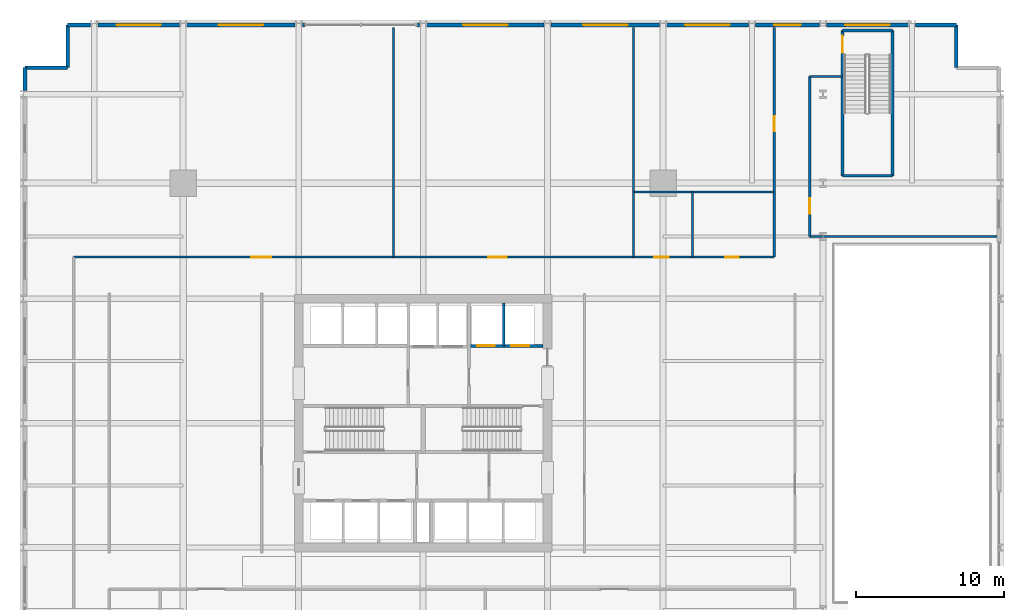
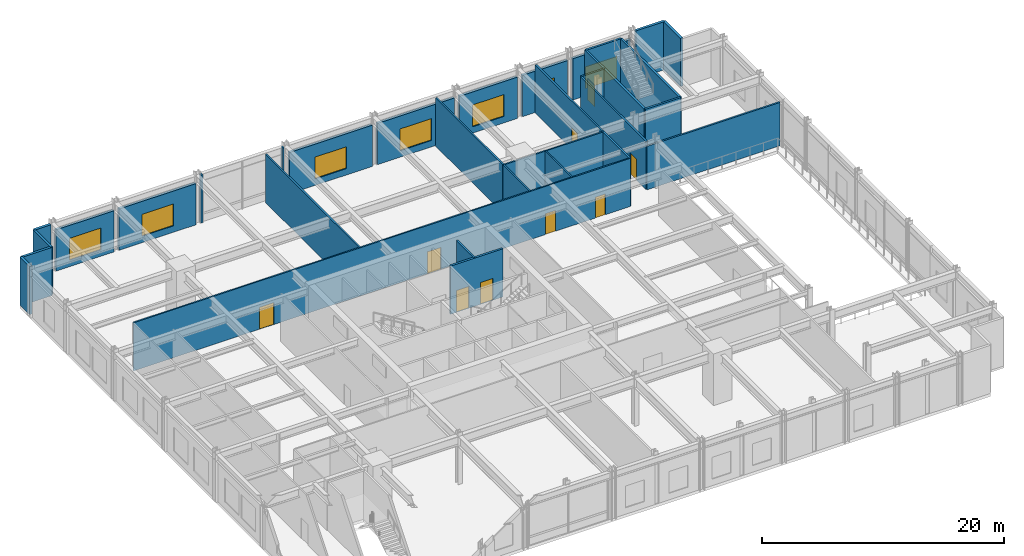
# One storey, part 13 of 20: 31 walls, 9 doors, 7 windows, 16 openings.
"""IFC4 building model written with IfcOpenShell, lengths in metres."""

from ifc_helpers import new_model, si_unit, direction, frame, frame_2d, origin, place, context, subcontext, project, spatial, rectangle, extrude, material, layer, layer_set, type_object, element, fill, save


model = new_model("IFC4")

# Units and contexts
model_context = context("Model", 3, precision=1e-05, world=origin(), true_north=direction((0.0, 1.0)))
body_context = subcontext(model_context, "Body", "Model", "MODEL_VIEW")
ifc_project = project(units=[si_unit("LENGTHUNIT", "METRE"), si_unit("AREAUNIT", "SQUARE_METRE"), si_unit("VOLUMEUNIT", "CUBIC_METRE"), si_unit("PLANEANGLEUNIT", "RADIAN"), si_unit("MASSUNIT", "GRAM", prefix="KILO")], contexts=[model_context])

# Site, building, storey
site_placement = place(None, origin())
site = spatial("IfcSite", under=ifc_project, at=site_placement, CompositionType="ELEMENT")
building_placement = place(site_placement, origin())
building = spatial("IfcBuilding", under=site, at=building_placement, Name="Drelvath Grand Hotel", CompositionType="ELEMENT")
storey_placement = place(building_placement, frame((0.0, 0.0, 5.60009765625)))
storey = spatial("IfcBuildingStorey", under=building, at=storey_placement, Name="L01", CompositionType="ELEMENT", Elevation=5.60009765625)

# Wall, openings, doors
ifc_material_1 = material(Name="Concrete C40/50", Category="concrete")
ifc_layer_1 = layer(ifc_material_1, 0.199951171875)
ifc_layer_set_1 = layer_set([ifc_layer_1], Name="Concrete C40/50")
wall_type_1 = type_object("IfcWallType", Name="Core Hoistway Fire Wall 200", PredefinedType="SOLIDWALL", material=ifc_layer_set_1)
wall_1_placement = place(storey_placement, frame((3.10009765625, 32.219970703125, 0.0), z_axis=(0.0, 0.0, 1.0), x_axis=(1.0, 0.0, 0.0)))
wall_1 = element("IfcWall", 1, at=wall_1_placement, inside=storey, type_object=wall_type_1, Name="L01 FSAE Hoistway Front Wall", PredefinedType="SOLIDWALL", context=body_context, shape_type="SweptSolid", body=[
    extrude(rectangle(XDim=5.0, YDim=0.199951171875, at=frame_2d((2.5, 0.0))), origin(), (0.0, 0.0, 1.0), 4.849853515625),
])
opening_1_placement = place(wall_1_placement, frame((0.550048828125, 0.0, 0.0)))
opening_1 = element("IfcOpeningElement", 2, at=opening_1_placement, cuts=wall_1, Name="Opening LD-FSAE-1", PredefinedType="OPENING", context=body_context, shape_type="SweptSolid", body=[
    extrude(rectangle(XDim=1.199951171875, YDim=2.199951171875, at=frame_2d((0.60009765625, 1.10009765625))), frame((0.0, 0.10986328125, 0.0), z_axis=(0.0, -1.0, 0.0), x_axis=(1.0, 0.0, 0.0)), (0.0, 0.0, 1.0), 0.219970703125),
])
opening_2_placement = place(wall_1_placement, frame((2.85009765625, 0.0, 0.0)))
opening_2 = element("IfcOpeningElement", 3, at=opening_2_placement, cuts=wall_1, Name="Opening LD-FSAE-2", PredefinedType="OPENING", context=body_context, shape_type="SweptSolid", body=[
    extrude(rectangle(XDim=1.199951171875, YDim=2.199951171875, at=frame_2d((0.60009765625, 1.10009765625))), frame((0.0, 0.10986328125, 0.0), z_axis=(0.0, -1.0, 0.0), x_axis=(1.0, 0.0, 0.0)), (0.0, 0.0, 1.0), 0.219970703125),
])
ifc_material_2 = material(Name="Stainless Steel S355", Category="steel")
door_type_1 = type_object("IfcDoorType", Name="FSAE Lift Sliding Landing Door 1200x2200", OperationType="NOTDEFINED", PredefinedType="DOOR", material=ifc_material_2)
door_1_placement = place(opening_1_placement, origin())
door_1 = element("IfcDoor", 4, at=door_1_placement, inside=storey, type_object=door_type_1, Name="L01 Lift FSAE-1 Landing Door", OperationType="SLIDING_TO_LEFT", OverallHeight=2.199951171875, OverallWidth=1.199951171875, PredefinedType="DOOR", context=body_context, shape_type="SweptSolid", body=[
    extrude(rectangle(XDim=1.199951171875, YDim=2.199951171875, at=frame_2d((0.60009765625, 1.10009765625))), frame((0.0, 0.02490234375, 0.0), z_axis=(0.0, -1.0, 0.0), x_axis=(1.0, 0.0, 0.0)), (0.0, 0.0, 1.0), 0.050048828125),
])
fill(opening_1, door_1)
door_2_placement = place(opening_2_placement, origin())
door_2 = element("IfcDoor", 5, at=door_2_placement, inside=storey, type_object=door_type_1, Name="L01 Lift FSAE-2 Landing Door", OperationType="SLIDING_TO_LEFT", OverallHeight=2.199951171875, OverallWidth=1.199951171875, PredefinedType="DOOR", context=body_context, shape_type="SweptSolid", body=[
    extrude(rectangle(XDim=1.199951171875, YDim=2.199951171875, at=frame_2d((0.60009765625, 1.10009765625))), frame((0.0, 0.02490234375, 0.0), z_axis=(0.0, -1.0, 0.0), x_axis=(1.0, 0.0, 0.0)), (0.0, 0.0, 1.0), 0.050048828125),
])
fill(opening_2, door_2)

# Wall, opening, door
ifc_layer_2 = layer(ifc_material_1, 0.199951171875)
ifc_layer_set_2 = layer_set([ifc_layer_2], Name="Concrete C40/50")
wall_type_2 = type_object("IfcWallType", Name="Core Shaft Fire Wall 200", PredefinedType="SOLIDWALL", material=ifc_layer_set_2)
wall_2_placement = place(storey_placement, frame((28.320068359375, 43.699951171875, 0.0), z_axis=(0.0, 0.0, 1.0), x_axis=(0.0, 1.0, 0.0)))
wall_2 = element("IfcWall", 6, at=wall_2_placement, inside=storey, type_object=wall_type_2, Name="L01 Stair ST-4 West Wall", PredefinedType="SOLIDWALL", context=body_context, shape_type="SweptSolid", body=[
    extrude(rectangle(XDim=9.800048828125, YDim=0.199951171875, at=frame_2d((4.89990234375, 0.0))), origin(), (0.0, 0.0, 1.0), 4.849853515625),
])
opening_3_placement = place(wall_2_placement, frame((8.300048828125, 0.0, 0.0)))
opening_3 = element("IfcOpeningElement", 7, at=opening_3_placement, cuts=wall_2, Name="Opening D-L01-017", PredefinedType="OPENING", context=body_context, shape_type="SweptSolid", body=[
    extrude(rectangle(XDim=1.14990234375, YDim=2.14990234375, at=frame_2d((0.574951171875, 1.074951171875))), frame((0.0, 0.10986328125, 0.0), z_axis=(0.0, -1.0, 0.0), x_axis=(1.0, 0.0, 0.0)), (0.0, 0.0, 1.0), 0.219970703125),
])
ifc_material_3 = material(Name="Painted Steel S275", Category="steel")
door_type_2 = type_object("IfcDoorType", Name="Podium Stairwell Fire Door 1150x2150", OperationType="NOTDEFINED", PredefinedType="DOOR", material=ifc_material_3)
door_3_placement = place(opening_3_placement, origin())
door_3 = element("IfcDoor", 8, at=door_3_placement, inside=storey, type_object=door_type_2, Name="L01 Exit Stair ST-4 Entry Door", OperationType="SINGLE_SWING_RIGHT", OverallHeight=2.14990234375, OverallWidth=1.14990234375, PredefinedType="DOOR", context=body_context, shape_type="SweptSolid", body=[
    extrude(rectangle(XDim=1.14990234375, YDim=2.14990234375, at=frame_2d((0.574951171875, 1.074951171875))), frame((0.0, 0.02490234375, 0.0), z_axis=(0.0, -1.0, 0.0), x_axis=(1.0, 0.0, 0.0)), (0.0, 0.0, 1.0), 0.050048828125),
])
fill(opening_3, door_3)

# Walls
wall_3_placement = place(storey_placement, frame((31.679931640625, 53.5, 0.0), z_axis=(0.0, 0.0, 1.0), x_axis=(0.0, -1.0, 0.0)))
element("IfcWall", 9, at=wall_3_placement, inside=storey, type_object=wall_type_2, Name="L01 Stair ST-4 East Wall", PredefinedType="SOLIDWALL", context=body_context, shape_type="SweptSolid", body=[
    extrude(rectangle(XDim=9.800048828125, YDim=0.199951171875, at=frame_2d((4.89990234375, 0.0))), origin(), (0.0, 0.0, 1.0), 4.849853515625),
])
for number, where, z_axis, x_axis, name in (
    (10, (28.320068359375, 43.699951171875, 0.0), (0.0, 0.0, 1.0), (1.0, 0.0, 0.0), "L01 Stair ST-4 South Wall"),
    (11, (31.679931640625, 53.5, 0.0), (0.0, 0.0, 1.0), (-1.0, 0.0, 0.0), "L01 Stair ST-4 North Wall"),
):
    element("IfcWall", number, at=place(storey_placement, frame(where, z_axis=z_axis, x_axis=x_axis)), inside=storey, type_object=wall_type_2, Name=name, PredefinedType="SOLIDWALL", context=body_context, shape_type="SweptSolid", body=[
        extrude(rectangle(XDim=3.35986328125, YDim=0.199951171875, at=frame_2d((1.679931640625, 0.0))), origin(), (0.0, 0.0, 1.0), 4.849853515625),
    ])
ifc_material_4 = material(Name="Gypsum Fireboard Partition")
ifc_layer_3 = layer(ifc_material_4, 0.1650390625)
ifc_layer_set_3 = layer_set([ifc_layer_3], Name="Gypsum Fireboard Partition")
wall_type_3 = type_object("IfcWallType", Name="Core Shaft Partition 165", PredefinedType="PARTITIONING", material=ifc_layer_set_3)
wall_4_placement = place(storey_placement, frame((5.449951171875, 32.219970703125, 0.0), z_axis=(0.0, 0.0, 1.0), x_axis=(0.0, 1.0, 0.0)))
element("IfcWall", 12, at=wall_4_placement, inside=storey, type_object=wall_type_3, Name="L01 FSAE Hoistway Divider", PredefinedType="PARTITIONING", context=body_context, shape_type="SweptSolid", body=[
    extrude(rectangle(XDim=2.880126953125, YDim=0.1650390625, at=frame_2d((1.43994140625, 0.0))), origin(), (0.0, 0.0, 1.0), 4.849853515625),
])

# Wall, openings, doors
ifc_layer_4 = layer(ifc_material_4, 0.135009765625)
ifc_layer_set_4 = layer_set([ifc_layer_4], Name="Gypsum Fireboard Partition")
wall_type_4 = type_object("IfcWallType", Name="Corridor Fire Barrier Wall 135", PredefinedType="PARTITIONING", material=ifc_layer_set_4)
wall_5_placement = place(storey_placement, frame((-23.60009765625, 38.199951171875, 0.0), z_axis=(0.0, 0.0, 1.0), x_axis=(1.0, 0.0, 0.0)))
wall_5 = element("IfcWall", 13, at=wall_5_placement, inside=storey, type_object=wall_type_4, Name="L01 North Gallery Wall", PredefinedType="PARTITIONING", context=body_context, shape_type="SweptSolid", body=[
    extrude(rectangle(XDim=47.300048828125, YDim=0.135009765625, at=frame_2d((23.64990234375, 0.0))), origin(), (0.0, 0.0, 1.0), 4.849853515625),
])
opening_4_placement = place(wall_5_placement, frame((39.199951171875, 0.0, 0.0)))
opening_4 = element("IfcOpeningElement", 14, at=opening_4_placement, cuts=wall_5, Name="Opening D-L01-019", PredefinedType="OPENING", context=body_context, shape_type="SweptSolid", body=[
    extrude(rectangle(XDim=0.97998046875, YDim=2.10009765625, at=frame_2d((0.489990234375, 1.050048828125))), frame((0.0, 0.077392578125, 0.0), z_axis=(0.0, -1.0, 0.0), x_axis=(1.0, 0.0, 0.0)), (0.0, 0.0, 1.0), 0.155029296875),
])
opening_5_placement = place(wall_5_placement, frame((44.0, 0.0, 0.0)))
opening_5 = element("IfcOpeningElement", 15, at=opening_5_placement, cuts=wall_5, Name="Opening D-L01-020", PredefinedType="OPENING", context=body_context, shape_type="SweptSolid", body=[
    extrude(rectangle(XDim=0.919921875, YDim=2.10009765625, at=frame_2d((0.4599609375, 1.050048828125))), frame((0.0, 0.077392578125, 0.0), z_axis=(0.0, -1.0, 0.0), x_axis=(1.0, 0.0, 0.0)), (0.0, 0.0, 1.0), 0.155029296875),
])
opening_6_placement = place(wall_5_placement, frame((12.0, 0.0, 0.0)))
opening_6 = element("IfcOpeningElement", 16, at=opening_6_placement, cuts=wall_5, Name="Opening D-L01-025", PredefinedType="OPENING", context=body_context, shape_type="SweptSolid", body=[
    extrude(rectangle(XDim=1.360107421875, YDim=2.199951171875, at=frame_2d((0.68017578125, 1.10009765625))), frame((0.0, 0.077392578125, 0.0), z_axis=(0.0, -1.0, 0.0), x_axis=(1.0, 0.0, 0.0)), (0.0, 0.0, 1.0), 0.155029296875),
])
opening_7_placement = place(wall_5_placement, frame((28.0, 0.0, 0.0)))
opening_7 = element("IfcOpeningElement", 17, at=opening_7_placement, cuts=wall_5, Name="Opening D-L01-026", PredefinedType="OPENING", context=body_context, shape_type="SweptSolid", body=[
    extrude(rectangle(XDim=1.260009765625, YDim=2.199951171875, at=frame_2d((0.6298828125, 1.10009765625))), frame((0.0, 0.077392578125, 0.0), z_axis=(0.0, -1.0, 0.0), x_axis=(1.0, 0.0, 0.0)), (0.0, 0.0, 1.0), 0.155029296875),
])
ifc_material_5 = material(Name="Hardwood Walnut Timber", Category="wood")
door_type_3 = type_object("IfcDoorType", Name="Accessible WC Door 980x2100", OperationType="NOTDEFINED", PredefinedType="DOOR", material=ifc_material_5)
door_4_placement = place(opening_4_placement, origin())
door_4 = element("IfcDoor", 18, at=door_4_placement, inside=storey, type_object=door_type_3, Name="L01 Accessible WC Door", OperationType="SINGLE_SWING_RIGHT", OverallHeight=2.10009765625, OverallWidth=0.97998046875, PredefinedType="DOOR", context=body_context, shape_type="SweptSolid", body=[
    extrude(rectangle(XDim=0.97998046875, YDim=2.10009765625, at=frame_2d((0.489990234375, 1.050048828125))), frame((0.0, 0.02490234375, 0.0), z_axis=(0.0, -1.0, 0.0), x_axis=(1.0, 0.0, 0.0)), (0.0, 0.0, 1.0), 0.050048828125),
])
fill(opening_4, door_4)
door_type_4 = type_object("IfcDoorType", Name="Plant Equipment Double Fire Door 1360x2200", OperationType="NOTDEFINED", PredefinedType="DOOR", material=ifc_material_3)
door_5_placement = place(opening_6_placement, origin())
door_5 = element("IfcDoor", 19, at=door_5_placement, inside=storey, type_object=door_type_4, Name="L01 Exhibition Kitchen Door", OperationType="SINGLE_SWING_RIGHT", OverallHeight=2.199951171875, OverallWidth=1.360107421875, PredefinedType="DOOR", context=body_context, shape_type="SweptSolid", body=[
    extrude(rectangle(XDim=1.360107421875, YDim=2.199951171875, at=frame_2d((0.68017578125, 1.10009765625))), frame((0.0, 0.02490234375, 0.0), z_axis=(0.0, -1.0, 0.0), x_axis=(1.0, 0.0, 0.0)), (0.0, 0.0, 1.0), 0.050048828125),
])
fill(opening_6, door_5)
door_type_5 = type_object("IfcDoorType", Name="Staff Utility Door 920x2100", OperationType="NOTDEFINED", PredefinedType="DOOR", material=ifc_material_3)
door_6_placement = place(opening_5_placement, origin())
door_6 = element("IfcDoor", 20, at=door_6_placement, inside=storey, type_object=door_type_5, Name="L01 Public Restroom Door", OperationType="SINGLE_SWING_LEFT", OverallHeight=2.10009765625, OverallWidth=0.919921875, PredefinedType="DOOR", context=body_context, shape_type="SweptSolid", body=[
    extrude(rectangle(XDim=0.919921875, YDim=2.10009765625, at=frame_2d((0.4599609375, 1.050048828125))), frame((0.0, 0.02490234375, 0.0), z_axis=(0.0, -1.0, 0.0), x_axis=(1.0, 0.0, 0.0)), (0.0, 0.0, 1.0), 0.050048828125),
])
fill(opening_5, door_6)
door_type_6 = type_object("IfcDoorType", Name="Suite Entrance Fire Door 1260x2200", OperationType="NOTDEFINED", PredefinedType="DOOR", material=ifc_material_5)
door_7_placement = place(opening_7_placement, origin())
door_7 = element("IfcDoor", 21, at=door_7_placement, inside=storey, type_object=door_type_6, Name="L01 Private Dining Door", OperationType="SINGLE_SWING_LEFT", OverallHeight=2.199951171875, OverallWidth=1.260009765625, PredefinedType="DOOR", context=body_context, shape_type="SweptSolid", body=[
    extrude(rectangle(XDim=1.260009765625, YDim=2.199951171875, at=frame_2d((0.6298828125, 1.10009765625))), frame((0.0, 0.02490234375, 0.0), z_axis=(0.0, -1.0, 0.0), x_axis=(1.0, 0.0, 0.0)), (0.0, 0.0, 1.0), 0.050048828125),
])
fill(opening_7, door_7)

# Walls
ifc_material_6 = material(Name="Moisture-Resistant Gypsum Board")
ifc_layer_5 = layer(ifc_material_6, 0.139892578125)
ifc_layer_set_5 = layer_set([ifc_layer_5], Name="Moisture-Resistant Gypsum Board")
wall_type_5 = type_object("IfcWallType", Name="En-Suite Plumbing Wall 140", PredefinedType="PLUMBINGWALL", material=ifc_layer_set_5)
for number, where, z_axis, x_axis, name in (
    (22, (14.199951171875, 38.199951171875, 0.0), (0.0, 0.0, 1.0), (0.0, 1.0, 0.0), "L01 Restroom West Wall"),
    (23, (18.199951171875, 38.199951171875, 0.0), (0.0, 0.0, 1.0), (0.0, 1.0, 0.0), "L01 Restroom Split Wall"),
):
    element("IfcWall", number, at=place(storey_placement, frame(where, z_axis=z_axis, x_axis=x_axis)), inside=storey, type_object=wall_type_5, Name=name, PredefinedType="PLUMBINGWALL", context=body_context, shape_type="SweptSolid", body=[
        extrude(rectangle(XDim=4.400146484375, YDim=0.139892578125, at=frame_2d((2.2001953125, 0.0))), origin(), (0.0, 0.0, 1.0), 4.849853515625),
    ])
wall_6_placement = place(storey_placement, frame((14.199951171875, 42.60009765625, 0.0), z_axis=(0.0, 0.0, 1.0), x_axis=(1.0, 0.0, 0.0)))
element("IfcWall", 24, at=wall_6_placement, inside=storey, type_object=wall_type_5, Name="L01 Restroom North Back Wall", PredefinedType="PLUMBINGWALL", context=body_context, shape_type="SweptSolid", body=[
    extrude(rectangle(XDim=9.5, YDim=0.139892578125, at=frame_2d((4.75, 0.0))), origin(), (0.0, 0.0, 1.0), 4.849853515625),
])
ifc_material_7 = material(Name="Gypsum Acoustic Partition")
ifc_layer_6 = layer(ifc_material_7, 0.14990234375)
ifc_layer_set_6 = layer_set([ifc_layer_6], Name="Gypsum Acoustic Partition")
wall_type_6 = type_object("IfcWallType", Name="Guestroom Demising Wall 150", PredefinedType="PARTITIONING", material=ifc_layer_set_6)
wall_7_placement = place(storey_placement, frame((14.199951171875, 42.60009765625, 0.0), z_axis=(0.0, 0.0, 1.0), x_axis=(0.0, 1.0, 0.0)))
element("IfcWall", 25, at=wall_7_placement, inside=storey, type_object=wall_type_6, Name="L01 North Corner Boardroom Wall", PredefinedType="PARTITIONING", context=body_context, shape_type="SweptSolid", body=[
    extrude(rectangle(XDim=11.099853515625, YDim=0.14990234375, at=frame_2d((5.5498046875, 0.0))), origin(), (0.0, 0.0, 1.0), 4.849853515625),
])
ifc_material_8 = material(Name="Insulated Granite Rainscreen Assembly", Category="masonry")
ifc_layer_7 = layer(ifc_material_8, 0.239990234375)
ifc_layer_set_7 = layer_set([ifc_layer_7], Name="Insulated Granite Rainscreen Assembly")
wall_type_7 = type_object("IfcWallType", Name="Podium Granite Rainscreen Exterior Wall 240", PredefinedType="STANDARD", material=ifc_layer_set_7)
for number, where, z_axis, x_axis, name in (
    (26, (-26.8798828125, 49.44091796875, 0.0), (0.0, 0.0, 1.0), (0.0, 1.0, 0.0), "L01 West Podium Granite Wall 8"),
    (27, (-24.0, 53.8798828125, 0.0), (0.0, 0.0, 1.0), (1.0, 0.0, 0.0), "L01 North Podium Granite Wall 1"),
):
    element("IfcWall", number, at=place(storey_placement, frame(where, z_axis=z_axis, x_axis=x_axis)), inside=storey, type_object=wall_type_7, Name=name, PredefinedType="STANDARD", context=body_context, shape_type="SweptSolid", body=[
        extrude(rectangle(XDim=1.55908203125, YDim=0.239990234375, at=frame_2d((0.779541015625, 0.0))), origin(), (0.0, 0.0, 1.0), 4.849853515625),
    ])

# Wall, opening, window
wall_8_placement = place(storey_placement, frame((-21.958984375, 53.8798828125, 0.0), z_axis=(0.0, 0.0, 1.0), x_axis=(1.0, 0.0, 0.0)))
wall_8 = element("IfcWall", 28, at=wall_8_placement, inside=storey, type_object=wall_type_7, Name="L01 North Podium Granite Wall 2", PredefinedType="STANDARD", context=body_context, shape_type="SweptSolid", body=[
    extrude(rectangle(XDim=5.51806640625, YDim=0.239990234375, at=frame_2d((2.759033203125, 0.0))), origin(), (0.0, 0.0, 1.0), 4.154296875),
])
opening_8_placement = place(wall_8_placement, frame((1.259033203125, 0.0, 0.64990234375)))
opening_8 = element("IfcOpeningElement", 29, at=opening_8_placement, cuts=wall_8, Name="Opening W-03", PredefinedType="OPENING", context=body_context, shape_type="SweptSolid", body=[
    extrude(rectangle(XDim=3.0, YDim=2.199951171875, at=frame_2d((1.5, 1.10009765625))), frame((0.0, 0.1298828125, 0.0), z_axis=(0.0, -1.0, 0.0), x_axis=(1.0, 0.0, 0.0)), (0.0, 0.0, 1.0), 0.260009765625),
])
ifc_material_9 = material(Name="Bronze Anodised Low-E Triple Glazing", Category="glass")
window_type_1 = type_object("IfcWindowType", Name="Podium Clerestory Ribbon Window 3000x2200", PartitioningType="TRIPLE_PANEL_VERTICAL", PredefinedType="WINDOW", material=ifc_material_9)
window_1_placement = place(opening_8_placement, origin())
window_1 = element("IfcWindow", 30, at=window_1_placement, inside=storey, type_object=window_type_1, Name="L01 North Chicago Window 2", OverallHeight=2.199951171875, OverallWidth=3.0, PartitioningType="SINGLE_PANEL", PredefinedType="WINDOW", context=body_context, shape_type="SweptSolid", body=[
    extrude(rectangle(XDim=3.0, YDim=2.199951171875, at=frame_2d((1.5, 1.10009765625))), frame((0.0, 0.030029296875, 0.0), z_axis=(0.0, -1.0, 0.0), x_axis=(1.0, 0.0, 0.0)), (0.0, 0.0, 1.0), 0.06005859375),
])
fill(opening_8, window_1)

wall_9_placement = place(storey_placement, frame((-15.958984375, 53.8798828125, 0.0), z_axis=(0.0, 0.0, 1.0), x_axis=(1.0, 0.0, 0.0)))
wall_9 = element("IfcWall", 31, at=wall_9_placement, inside=storey, type_object=wall_type_7, Name="L01 North Podium Granite Wall 3", PredefinedType="STANDARD", context=body_context, shape_type="SweptSolid", body=[
    extrude(rectangle(XDim=7.318115234375, YDim=0.239990234375, at=frame_2d((3.6591796875, 0.0))), origin(), (0.0, 0.0, 1.0), 4.154296875),
])
opening_9_placement = place(wall_9_placement, frame((2.1591796875, 0.0, 0.64990234375)))
opening_9 = element("IfcOpeningElement", 32, at=opening_9_placement, cuts=wall_9, Name="Opening W-03", PredefinedType="OPENING", context=body_context, shape_type="SweptSolid", body=[
    extrude(rectangle(XDim=3.0, YDim=2.199951171875, at=frame_2d((1.5, 1.10009765625))), frame((0.0, 0.1298828125, 0.0), z_axis=(0.0, -1.0, 0.0), x_axis=(1.0, 0.0, 0.0)), (0.0, 0.0, 1.0), 0.260009765625),
])
window_2_placement = place(opening_9_placement, origin())
window_2 = element("IfcWindow", 33, at=window_2_placement, inside=storey, type_object=window_type_1, Name="L01 North Chicago Window 3", OverallHeight=2.199951171875, OverallWidth=3.0, PartitioningType="SINGLE_PANEL", PredefinedType="WINDOW", context=body_context, shape_type="SweptSolid", body=[
    extrude(rectangle(XDim=3.0, YDim=2.199951171875, at=frame_2d((1.5, 1.10009765625))), frame((0.0, 0.030029296875, 0.0), z_axis=(0.0, -1.0, 0.0), x_axis=(1.0, 0.0, 0.0)), (0.0, 0.0, 1.0), 0.06005859375),
])
fill(opening_9, window_2)

# Walls
wall_10_placement = place(storey_placement, frame((-8.1591796875, 53.8798828125, 0.0), z_axis=(0.0, 0.0, 1.0), x_axis=(1.0, 0.0, 0.0)))
element("IfcWall", 34, at=wall_10_placement, inside=storey, type_object=wall_type_7, Name="L01 North Podium Granite Wall 4", PredefinedType="STANDARD", context=body_context, shape_type="SweptSolid", body=[
    extrude(rectangle(XDim=0.1591796875, YDim=0.239990234375, at=frame_2d((0.07958984375, 0.0))), origin(), (0.0, 0.0, 1.0), 4.849853515625),
])
wall_11_placement = place(storey_placement, frame((-0.39990234375, 53.8798828125, 0.0), z_axis=(0.0, 0.0, 1.0), x_axis=(1.0, 0.0, 0.0)))
element("IfcWall", 35, at=wall_11_placement, inside=storey, type_object=wall_type_7, Name="L01 North Podium Granite Wall 5", PredefinedType="STANDARD", context=body_context, shape_type="SweptSolid", body=[
    extrude(rectangle(XDim=0.158935546875, YDim=0.239990234375, at=frame_2d((0.07958984375, 0.0))), origin(), (0.0, 0.0, 1.0), 4.849853515625),
])

# Wall, opening, window
wall_12_placement = place(storey_placement, frame((0.240966796875, 53.8798828125, 0.0), z_axis=(0.0, 0.0, 1.0), x_axis=(1.0, 0.0, 0.0)))
wall_12 = element("IfcWall", 36, at=wall_12_placement, inside=storey, type_object=wall_type_7, Name="L01 North Podium Granite Wall 6", PredefinedType="STANDARD", context=body_context, shape_type="SweptSolid", body=[
    extrude(rectangle(XDim=7.918212890625, YDim=0.239990234375, at=frame_2d((3.958984375, 0.0))), origin(), (0.0, 0.0, 1.0), 4.154296875),
])
opening_10_placement = place(wall_12_placement, frame((2.458984375, 0.0, 0.64990234375)))
opening_10 = element("IfcOpeningElement", 37, at=opening_10_placement, cuts=wall_12, Name="Opening W-03", PredefinedType="OPENING", context=body_context, shape_type="SweptSolid", body=[
    extrude(rectangle(XDim=3.0, YDim=2.199951171875, at=frame_2d((1.5, 1.10009765625))), frame((0.0, 0.1298828125, 0.0), z_axis=(0.0, -1.0, 0.0), x_axis=(1.0, 0.0, 0.0)), (0.0, 0.0, 1.0), 0.260009765625),
])
window_3_placement = place(opening_10_placement, origin())
window_3 = element("IfcWindow", 38, at=window_3_placement, inside=storey, type_object=window_type_1, Name="L01 North Chicago Window 6", OverallHeight=2.199951171875, OverallWidth=3.0, PartitioningType="SINGLE_PANEL", PredefinedType="WINDOW", context=body_context, shape_type="SweptSolid", body=[
    extrude(rectangle(XDim=3.0, YDim=2.199951171875, at=frame_2d((1.5, 1.10009765625))), frame((0.0, 0.030029296875, 0.0), z_axis=(0.0, -1.0, 0.0), x_axis=(1.0, 0.0, 0.0)), (0.0, 0.0, 1.0), 0.06005859375),
])
fill(opening_10, window_3)

wall_13_placement = place(storey_placement, frame((8.640869140625, 53.8798828125, 0.0), z_axis=(0.0, 0.0, 1.0), x_axis=(1.0, 0.0, 0.0)))
wall_13 = element("IfcWall", 39, at=wall_13_placement, inside=storey, type_object=wall_type_7, Name="L01 North Podium Granite Wall 7", PredefinedType="STANDARD", context=body_context, shape_type="SweptSolid", body=[
    extrude(rectangle(XDim=7.318115234375, YDim=0.239990234375, at=frame_2d((3.6591796875, 0.0))), origin(), (0.0, 0.0, 1.0), 4.154296875),
])
opening_11_placement = place(wall_13_placement, frame((2.1591796875, 0.0, 0.64990234375)))
opening_11 = element("IfcOpeningElement", 40, at=opening_11_placement, cuts=wall_13, Name="Opening W-03", PredefinedType="OPENING", context=body_context, shape_type="SweptSolid", body=[
    extrude(rectangle(XDim=3.0, YDim=2.199951171875, at=frame_2d((1.5, 1.10009765625))), frame((0.0, 0.1298828125, 0.0), z_axis=(0.0, -1.0, 0.0), x_axis=(1.0, 0.0, 0.0)), (0.0, 0.0, 1.0), 0.260009765625),
])
window_4_placement = place(opening_11_placement, origin())
window_4 = element("IfcWindow", 41, at=window_4_placement, inside=storey, type_object=window_type_1, Name="L01 North Chicago Window 7", OverallHeight=2.199951171875, OverallWidth=3.0, PartitioningType="SINGLE_PANEL", PredefinedType="WINDOW", context=body_context, shape_type="SweptSolid", body=[
    extrude(rectangle(XDim=3.0, YDim=2.199951171875, at=frame_2d((1.5, 1.10009765625))), frame((0.0, 0.030029296875, 0.0), z_axis=(0.0, -1.0, 0.0), x_axis=(1.0, 0.0, 0.0)), (0.0, 0.0, 1.0), 0.06005859375),
])
fill(opening_11, window_4)

wall_14_placement = place(storey_placement, frame((16.44091796875, 53.8798828125, 0.0), z_axis=(0.0, 0.0, 1.0), x_axis=(1.0, 0.0, 0.0)))
wall_14 = element("IfcWall", 42, at=wall_14_placement, inside=storey, type_object=wall_type_7, Name="L01 North Podium Granite Wall 8", PredefinedType="STANDARD", context=body_context, shape_type="SweptSolid", body=[
    extrude(rectangle(XDim=5.51806640625, YDim=0.239990234375, at=frame_2d((2.759033203125, 0.0))), origin(), (0.0, 0.0, 1.0), 4.154296875),
])
opening_12_placement = place(wall_14_placement, frame((1.259033203125, 0.0, 0.64990234375)))
opening_12 = element("IfcOpeningElement", 43, at=opening_12_placement, cuts=wall_14, Name="Opening W-03", PredefinedType="OPENING", context=body_context, shape_type="SweptSolid", body=[
    extrude(rectangle(XDim=3.0, YDim=2.199951171875, at=frame_2d((1.5, 1.10009765625))), frame((0.0, 0.1298828125, 0.0), z_axis=(0.0, -1.0, 0.0), x_axis=(1.0, 0.0, 0.0)), (0.0, 0.0, 1.0), 0.260009765625),
])
window_5_placement = place(opening_12_placement, origin())
window_5 = element("IfcWindow", 44, at=window_5_placement, inside=storey, type_object=window_type_1, Name="L01 North Chicago Window 8", OverallHeight=2.199951171875, OverallWidth=3.0, PartitioningType="SINGLE_PANEL", PredefinedType="WINDOW", context=body_context, shape_type="SweptSolid", body=[
    extrude(rectangle(XDim=3.0, YDim=2.199951171875, at=frame_2d((1.5, 1.10009765625))), frame((0.0, 0.030029296875, 0.0), z_axis=(0.0, -1.0, 0.0), x_axis=(1.0, 0.0, 0.0)), (0.0, 0.0, 1.0), 0.06005859375),
])
fill(opening_12, window_5)

wall_15_placement = place(storey_placement, frame((22.44091796875, 53.8798828125, 0.0), z_axis=(0.0, 0.0, 1.0), x_axis=(1.0, 0.0, 0.0)))
wall_15 = element("IfcWall", 45, at=wall_15_placement, inside=storey, type_object=wall_type_7, Name="L01 North Podium Granite Wall 9", PredefinedType="STANDARD", context=body_context, shape_type="SweptSolid", body=[
    extrude(rectangle(XDim=4.318115234375, YDim=0.239990234375, at=frame_2d((2.1591796875, 0.0))), origin(), (0.0, 0.0, 1.0), 4.154296875),
])
opening_13_placement = place(wall_15_placement, frame((1.259033203125, 0.0, 0.64990234375)))
opening_13 = element("IfcOpeningElement", 46, at=opening_13_placement, cuts=wall_15, Name="Opening W-02", PredefinedType="OPENING", context=body_context, shape_type="SweptSolid", body=[
    extrude(rectangle(XDim=1.800048828125, YDim=2.199951171875, at=frame_2d((0.89990234375, 1.10009765625))), frame((0.0, 0.1298828125, 0.0), z_axis=(0.0, -1.0, 0.0), x_axis=(1.0, 0.0, 0.0)), (0.0, 0.0, 1.0), 0.260009765625),
])
window_type_2 = type_object("IfcWindowType", Name="Chicago Double-Pane Podium Window 1800x2400", PartitioningType="DOUBLE_PANEL_VERTICAL", PredefinedType="WINDOW", material=ifc_material_9)
window_6_placement = place(opening_13_placement, origin())
window_6 = element("IfcWindow", 47, at=window_6_placement, inside=storey, type_object=window_type_2, Name="L01 North Chicago Window 9", OverallHeight=2.199951171875, OverallWidth=1.800048828125, PartitioningType="SINGLE_PANEL", PredefinedType="WINDOW", context=body_context, shape_type="SweptSolid", body=[
    extrude(rectangle(XDim=1.800048828125, YDim=2.199951171875, at=frame_2d((0.89990234375, 1.10009765625))), frame((0.0, 0.030029296875, 0.0), z_axis=(0.0, -1.0, 0.0), x_axis=(1.0, 0.0, 0.0)), (0.0, 0.0, 1.0), 0.06005859375),
])
fill(opening_13, window_6)

wall_16_placement = place(storey_placement, frame((27.240966796875, 53.8798828125, 0.0), z_axis=(0.0, 0.0, 1.0), x_axis=(1.0, 0.0, 0.0)))
wall_16 = element("IfcWall", 48, at=wall_16_placement, inside=storey, type_object=wall_type_7, Name="L01 North Podium Granite Wall 10", PredefinedType="STANDARD", context=body_context, shape_type="SweptSolid", body=[
    extrude(rectangle(XDim=5.51806640625, YDim=0.239990234375, at=frame_2d((2.759033203125, 0.0))), origin(), (0.0, 0.0, 1.0), 4.154296875),
])
opening_14_placement = place(wall_16_placement, frame((1.259033203125, 0.0, 0.64990234375)))
opening_14 = element("IfcOpeningElement", 49, at=opening_14_placement, cuts=wall_16, Name="Opening W-03", PredefinedType="OPENING", context=body_context, shape_type="SweptSolid", body=[
    extrude(rectangle(XDim=3.0, YDim=2.199951171875, at=frame_2d((1.5, 1.10009765625))), frame((0.0, 0.1298828125, 0.0), z_axis=(0.0, -1.0, 0.0), x_axis=(1.0, 0.0, 0.0)), (0.0, 0.0, 1.0), 0.260009765625),
])
window_7_placement = place(opening_14_placement, origin())
window_7 = element("IfcWindow", 50, at=window_7_placement, inside=storey, type_object=window_type_1, Name="L01 North Chicago Window 10", OverallHeight=2.199951171875, OverallWidth=3.0, PartitioningType="SINGLE_PANEL", PredefinedType="WINDOW", context=body_context, shape_type="SweptSolid", body=[
    extrude(rectangle(XDim=3.0, YDim=2.199951171875, at=frame_2d((1.5, 1.10009765625))), frame((0.0, 0.030029296875, 0.0), z_axis=(0.0, -1.0, 0.0), x_axis=(1.0, 0.0, 0.0)), (0.0, 0.0, 1.0), 0.06005859375),
])
fill(opening_14, window_7)

# Walls
wall_17_placement = place(storey_placement, frame((33.240966796875, 53.8798828125, 0.0), z_axis=(0.0, 0.0, 1.0), x_axis=(1.0, 0.0, 0.0)))
element("IfcWall", 51, at=wall_17_placement, inside=storey, type_object=wall_type_7, Name="L01 North Podium Granite Wall 11", PredefinedType="STANDARD", context=body_context, shape_type="SweptSolid", body=[
    extrude(rectangle(XDim=2.759033203125, YDim=0.239990234375, at=frame_2d((1.37939453125, 0.0))), origin(), (0.0, 0.0, 1.0), 4.849853515625),
])
for number, where, z_axis, x_axis, name in (
    (52, (-26.8798828125, 51.0, 0.0), (0.0, 0.0, 1.0), (1.0, 0.0, 0.0), "L01 Podium Corner Return Wall CNW1"),
    (53, (-24.0, 51.0, 0.0), (0.0, 0.0, 1.0), (0.0, 1.0, 0.0), "L01 Podium Corner Return Wall CNW2"),
    (54, (36.0, 53.8798828125, 0.0), (0.0, 0.0, 1.0), (0.0, -1.0, 0.0), "L01 Podium Corner Return Wall CNE1"),
):
    element("IfcWall", number, at=place(storey_placement, frame(where, z_axis=z_axis, x_axis=x_axis)), inside=storey, type_object=wall_type_7, Name=name, PredefinedType="STANDARD", context=body_context, shape_type="SweptSolid", body=[
        extrude(rectangle(XDim=2.8798828125, YDim=0.239990234375, at=frame_2d((1.43994140625, 0.0))), origin(), (0.0, 0.0, 1.0), 4.849853515625),
    ])

# Wall, opening, door
ifc_layer_8 = layer(ifc_material_7, 0.1650390625)
ifc_layer_set_8 = layer_set([ifc_layer_8], Name="Gypsum Acoustic Partition")
wall_type_8 = type_object("IfcWallType", Name="Suite Demising Wall 165", PredefinedType="PARTITIONING", material=ifc_layer_set_8)
wall_18_placement = place(storey_placement, frame((23.699951171875, 38.199951171875, 0.0), z_axis=(0.0, 0.0, 1.0), x_axis=(0.0, 1.0, 0.0)))
wall_18 = element("IfcWall", 55, at=wall_18_placement, inside=storey, type_object=wall_type_8, Name="L01 ST-4 Spur Wall", PredefinedType="PARTITIONING", context=body_context, shape_type="SweptSolid", body=[
    extrude(rectangle(XDim=15.5, YDim=0.1650390625, at=frame_2d((7.75, 0.0))), origin(), (0.0, 0.0, 1.0), 4.849853515625),
])
opening_15_placement = place(wall_18_placement, frame((8.5, 0.0, 0.0)))
opening_15 = element("IfcOpeningElement", 56, at=opening_15_placement, cuts=wall_18, Name="Opening D-L01-018", PredefinedType="OPENING", context=body_context, shape_type="SweptSolid", body=[
    extrude(rectangle(XDim=1.02001953125, YDim=2.14990234375, at=frame_2d((0.510009765625, 1.074951171875))), frame((0.0, 0.092529296875, 0.0), z_axis=(0.0, -1.0, 0.0), x_axis=(1.0, 0.0, 0.0)), (0.0, 0.0, 1.0), 0.18505859375),
])
door_type_7 = type_object("IfcDoorType", Name="Amenity Meeting Fire Door 1020x2150", OperationType="NOTDEFINED", PredefinedType="DOOR", material=ifc_material_5)
door_8_placement = place(opening_15_placement, origin())
door_8 = element("IfcDoor", 57, at=door_8_placement, inside=storey, type_object=door_type_7, Name="L01 North Corner Boardroom Door", OperationType="SINGLE_SWING_LEFT", OverallHeight=2.14990234375, OverallWidth=1.02001953125, PredefinedType="DOOR", context=body_context, shape_type="SweptSolid", body=[
    extrude(rectangle(XDim=1.02001953125, YDim=2.14990234375, at=frame_2d((0.510009765625, 1.074951171875))), frame((0.0, 0.02490234375, 0.0), z_axis=(0.0, -1.0, 0.0), x_axis=(1.0, 0.0, 0.0)), (0.0, 0.0, 1.0), 0.050048828125),
])
fill(opening_15, door_8)

wall_19_placement = place(storey_placement, frame((26.10009765625, 39.60009765625, 0.0), z_axis=(0.0, 0.0, 1.0), x_axis=(0.0, 1.0, 0.0)))
wall_19 = element("IfcWall", 58, at=wall_19_placement, inside=storey, type_object=wall_type_8, Name="L01 ST-4 Spur East Wall", PredefinedType="PARTITIONING", context=body_context, shape_type="SweptSolid", body=[
    extrude(rectangle(XDim=10.7998046875, YDim=0.1650390625, at=frame_2d((5.39990234375, 0.0))), origin(), (0.0, 0.0, 1.0), 4.849853515625),
])
opening_16_placement = place(wall_19_placement, frame((1.550048828125, 0.0, 0.0)))
opening_16 = element("IfcOpeningElement", 59, at=opening_16_placement, cuts=wall_19, Name="Opening D-L01-022", PredefinedType="OPENING", context=body_context, shape_type="SweptSolid", body=[
    extrude(rectangle(XDim=1.02001953125, YDim=2.14990234375, at=frame_2d((0.510009765625, 1.074951171875))), frame((0.0, 0.092529296875, 0.0), z_axis=(0.0, -1.0, 0.0), x_axis=(1.0, 0.0, 0.0)), (0.0, 0.0, 1.0), 0.18505859375),
])
door_9_placement = place(opening_16_placement, origin())
door_9 = element("IfcDoor", 60, at=door_9_placement, inside=storey, type_object=door_type_7, Name="L01 NE Executive Office Door", OperationType="SINGLE_SWING_LEFT", OverallHeight=2.14990234375, OverallWidth=1.02001953125, PredefinedType="DOOR", context=body_context, shape_type="SweptSolid", body=[
    extrude(rectangle(XDim=1.02001953125, YDim=2.14990234375, at=frame_2d((0.510009765625, 1.074951171875))), frame((0.0, 0.02490234375, 0.0), z_axis=(0.0, -1.0, 0.0), x_axis=(1.0, 0.0, 0.0)), (0.0, 0.0, 1.0), 0.050048828125),
])
fill(opening_16, door_9)

# Walls
wall_20_placement = place(storey_placement, frame((26.10009765625, 50.39990234375, 0.0), z_axis=(0.0, 0.0, 1.0), x_axis=(1.0, 0.0, 0.0)))
element("IfcWall", 61, at=wall_20_placement, inside=storey, type_object=wall_type_8, Name="L01 ST-4 Vestibule South Wall", PredefinedType="PARTITIONING", context=body_context, shape_type="SweptSolid", body=[
    extrude(rectangle(XDim=2.219970703125, YDim=0.1650390625, at=frame_2d((1.10986328125, 0.0))), origin(), (0.0, 0.0, 1.0), 4.849853515625),
])
wall_21_placement = place(storey_placement, frame((26.10009765625, 39.60009765625, 0.0), z_axis=(0.0, 0.0, 1.0), x_axis=(1.0, 0.0, 0.0)))
element("IfcWall", 62, at=wall_21_placement, inside=storey, type_object=wall_type_8, Name="L01 NE Wing South Wall", PredefinedType="PARTITIONING", context=body_context, shape_type="SweptSolid", body=[
    extrude(rectangle(XDim=12.659912109375, YDim=0.1650390625, at=frame_2d((6.330078125, 0.0))), origin(), (0.0, 0.0, 1.0), 4.375),
])
wall_22_placement = place(storey_placement, frame((-2.0, 38.199951171875, 0.0), z_axis=(0.0, 0.0, 1.0), x_axis=(0.0, 1.0, 0.0)))
element("IfcWall", 63, at=wall_22_placement, inside=storey, type_object=wall_type_8, Name="L01 Kitchen Pantry Split", PredefinedType="PARTITIONING", context=body_context, shape_type="SweptSolid", body=[
    extrude(rectangle(XDim=15.5, YDim=0.1650390625, at=frame_2d((7.75, 0.0))), origin(), (0.0, 0.0, 1.0), 4.849853515625),
])

save(model, "model.ifc")
